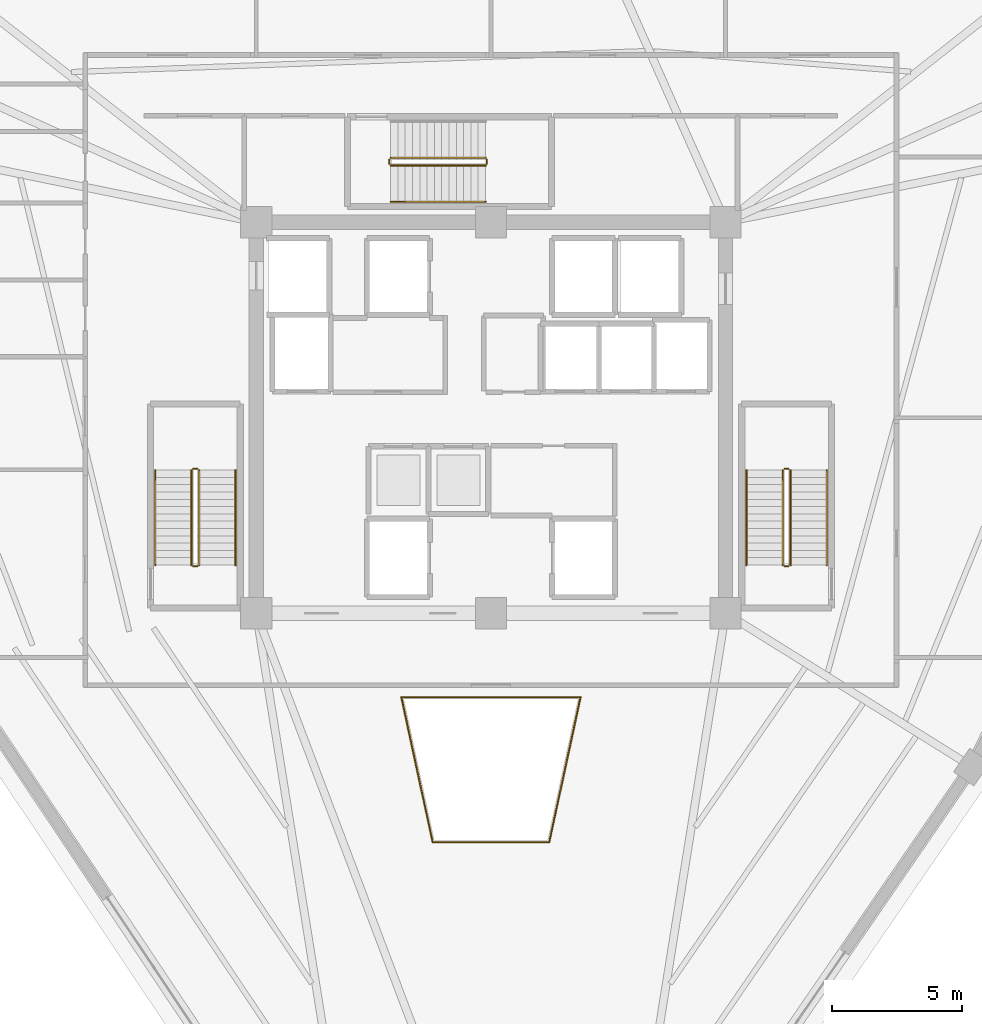
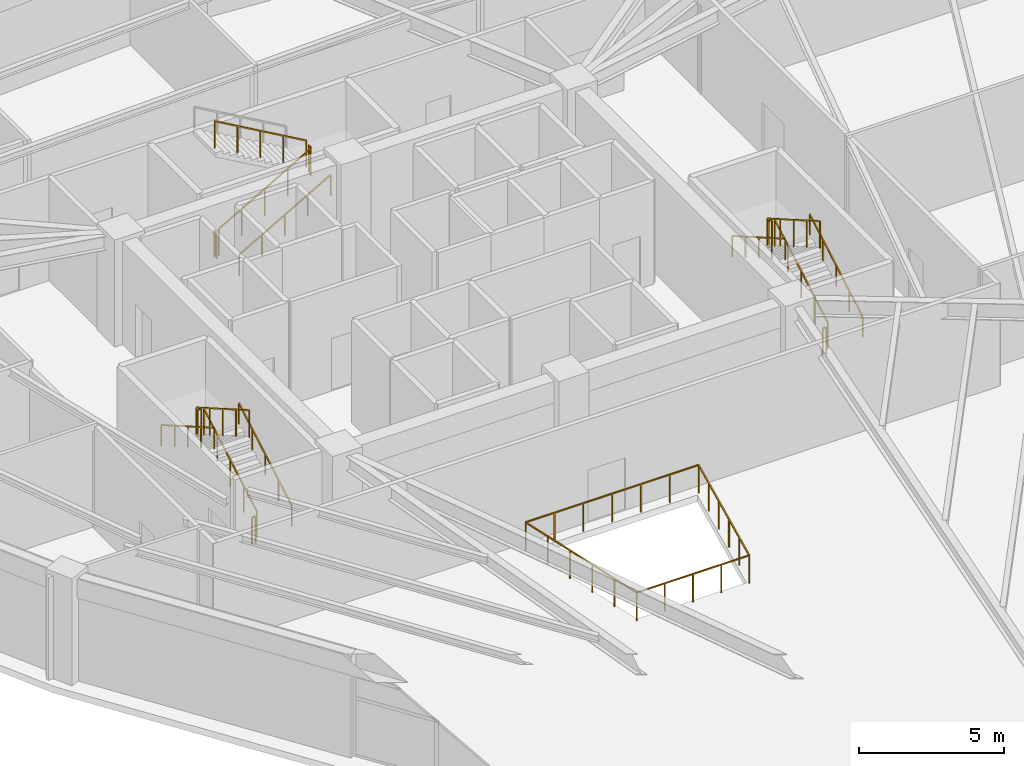
# One storey, part 33 of 35: 21 railings.
"""IFC4 building model written with IfcOpenShell, lengths in metres."""

from ifc_helpers import new_model, si_unit, direction, frame, origin, origin_2d, place, context, subcontext, project, spatial, rectangle, extrude, material, type_object, element, save


model = new_model("IFC4")

# Units and contexts
model_context = context("Model", 3, precision=1e-05, world=origin(), true_north=direction((0.0, 1.0)))
body_context = subcontext(model_context, "Body", "Model", "MODEL_VIEW")
ifc_project = project(units=[si_unit("LENGTHUNIT", "METRE"), si_unit("AREAUNIT", "SQUARE_METRE"), si_unit("VOLUMEUNIT", "CUBIC_METRE"), si_unit("PLANEANGLEUNIT", "RADIAN"), si_unit("MASSUNIT", "GRAM", prefix="KILO")], contexts=[model_context])

# Site, building, storey
site_placement = place(None, origin())
site = spatial("IfcSite", under=ifc_project, at=site_placement, CompositionType="ELEMENT")
building_placement = place(site_placement, origin())
building = spatial("IfcBuilding", under=site, at=building_placement, Name="Liaohun Quay Tower", CompositionType="ELEMENT")
storey_placement = place(building_placement, frame((0.0, 0.0, 282.0)))
storey = spatial("IfcBuildingStorey", under=building, at=storey_placement, Name="L73", CompositionType="ELEMENT", Elevation=282.0)

# Railings
ifc_material_1 = material(Name="Laminated safety glass and stainless steel", Category="steel")
railing_type_1 = type_object("IfcRailingType", Name="RLG-GUARD-ATR", PredefinedType="BALUSTRADE", material=ifc_material_1)
railing_1_placement = place(storey_placement, frame((57.764892578125, 37.714111328125, 0.0)))
element("IfcRailing", 1, at=railing_1_placement, inside=storey, type_object=railing_type_1, Name="L73 Atrium Edge Balustrade 1", PredefinedType="BALUSTRADE", context=body_context, shape_type="SweptSolid", body=[
    extrude(rectangle(XDim=0.048095703125, YDim=0.048095703125, at=origin_2d()), frame((0.0, 0.0, 1.17578125), z_axis=(-0.211238696802, 0.977434505721, 0.0), x_axis=(-0.977434505721, -0.211238696802, 0.0)), (0.0, 0.0, 1.0), 5.6943359375),
    extrude(rectangle(XDim=0.0419921875, YDim=0.0419921875, at=origin_2d()), origin(), (0.0, 0.0, 1.0), 1.15185546875),
    extrude(rectangle(XDim=0.0419921875, YDim=0.0419921875, at=origin_2d()), frame((-0.240478515625, 1.11328125, 0.0)), (0.0, 0.0, 1.0), 1.15185546875),
    extrude(rectangle(XDim=0.0419921875, YDim=0.0419921875, at=origin_2d()), frame((-0.481201171875, 2.226318359375, 0.0)), (0.0, 0.0, 1.0), 1.15185546875),
    extrude(rectangle(XDim=0.0419921875, YDim=0.0419921875, at=origin_2d()), frame((-0.7216796875, 3.339599609375, 0.0)), (0.0, 0.0, 1.0), 1.15185546875),
    extrude(rectangle(XDim=0.0419921875, YDim=0.0419921875, at=origin_2d()), frame((-0.96240234375, 4.45263671875, 0.0)), (0.0, 0.0, 1.0), 1.15185546875),
    extrude(rectangle(XDim=0.0419921875, YDim=0.0419921875, at=origin_2d()), frame((-1.202880859375, 5.56591796875, 0.0)), (0.0, 0.0, 1.0), 1.15185546875),
])
railing_2_placement = place(storey_placement, frame((56.56201171875, 43.280029296875, 0.0)))
element("IfcRailing", 2, at=railing_2_placement, inside=storey, type_object=railing_type_1, Name="L73 Atrium Edge Balustrade 2", PredefinedType="BALUSTRADE", context=body_context, shape_type="SweptSolid", body=[
    extrude(rectangle(XDim=0.048095703125, YDim=0.048095703125, at=origin_2d()), frame((0.0, 0.0, 1.17578125), z_axis=(1.0, 0.0, 0.0), x_axis=(0.0, 1.0, 0.0)), (0.0, 0.0, 1.0), 6.8759765625),
    extrude(rectangle(XDim=0.0419921875, YDim=0.0419921875, at=origin_2d()), origin(), (0.0, 0.0, 1.0), 1.15185546875),
    extrude(rectangle(XDim=0.0419921875, YDim=0.0419921875, at=origin_2d()), frame((1.14599609375, 0.0, 0.0)), (0.0, 0.0, 1.0), 1.15185546875),
    extrude(rectangle(XDim=0.0419921875, YDim=0.0419921875, at=origin_2d()), frame((2.2919921875, 0.0, 0.0)), (0.0, 0.0, 1.0), 1.15185546875),
    extrude(rectangle(XDim=0.0419921875, YDim=0.0419921875, at=origin_2d()), frame((3.43798828125, 0.0, 0.0)), (0.0, 0.0, 1.0), 1.15185546875),
    extrude(rectangle(XDim=0.0419921875, YDim=0.0419921875, at=origin_2d()), frame((4.583984375, 0.0, 0.0)), (0.0, 0.0, 1.0), 1.15185546875),
    extrude(rectangle(XDim=0.0419921875, YDim=0.0419921875, at=origin_2d()), frame((5.72998046875, 0.0, 0.0)), (0.0, 0.0, 1.0), 1.15185546875),
    extrude(rectangle(XDim=0.0419921875, YDim=0.0419921875, at=origin_2d()), frame((6.8759765625, 0.0, 0.0)), (0.0, 0.0, 1.0), 1.15185546875),
])
railing_3_placement = place(storey_placement, frame((63.43798828125, 43.280029296875, 0.0)))
element("IfcRailing", 3, at=railing_3_placement, inside=storey, type_object=railing_type_1, Name="L73 Atrium Edge Balustrade 3", PredefinedType="BALUSTRADE", context=body_context, shape_type="SweptSolid", body=[
    extrude(rectangle(XDim=0.048095703125, YDim=0.048095703125, at=origin_2d()), frame((0.0, 0.0, 1.17578125), z_axis=(-0.211238696802, -0.977434505721, 0.0), x_axis=(0.977434505721, -0.211238696802, 0.0)), (0.0, 0.0, 1.0), 5.6943359375),
    extrude(rectangle(XDim=0.0419921875, YDim=0.0419921875, at=origin_2d()), origin(), (0.0, 0.0, 1.0), 1.15185546875),
    extrude(rectangle(XDim=0.0419921875, YDim=0.0419921875, at=origin_2d()), frame((-0.240478515625, -1.11328125, 0.0)), (0.0, 0.0, 1.0), 1.15185546875),
    extrude(rectangle(XDim=0.0419921875, YDim=0.0419921875, at=origin_2d()), frame((-0.481201171875, -2.226318359375, 0.0)), (0.0, 0.0, 1.0), 1.15185546875),
    extrude(rectangle(XDim=0.0419921875, YDim=0.0419921875, at=origin_2d()), frame((-0.7216796875, -3.339599609375, 0.0)), (0.0, 0.0, 1.0), 1.15185546875),
    extrude(rectangle(XDim=0.0419921875, YDim=0.0419921875, at=origin_2d()), frame((-0.96240234375, -4.45263671875, 0.0)), (0.0, 0.0, 1.0), 1.15185546875),
    extrude(rectangle(XDim=0.0419921875, YDim=0.0419921875, at=origin_2d()), frame((-1.202880859375, -5.56591796875, 0.0)), (0.0, 0.0, 1.0), 1.15185546875),
])
railing_4_placement = place(storey_placement, frame((62.235107421875, 37.714111328125, 0.0)))
element("IfcRailing", 4, at=railing_4_placement, inside=storey, type_object=railing_type_1, Name="L73 Atrium Edge Balustrade 4", PredefinedType="BALUSTRADE", context=body_context, shape_type="SweptSolid", body=[
    extrude(rectangle(XDim=0.048095703125, YDim=0.048095703125, at=origin_2d()), frame((0.0, 0.0, 1.17578125), z_axis=(-1.0, 0.0, 0.0), x_axis=(0.0, -1.0, 0.0)), (0.0, 0.0, 1.0), 4.47021484375),
    extrude(rectangle(XDim=0.0419921875, YDim=0.0419921875, at=origin_2d()), origin(), (0.0, 0.0, 1.0), 1.15185546875),
    extrude(rectangle(XDim=0.0419921875, YDim=0.0419921875, at=origin_2d()), frame((-1.11767578125, 0.0, 0.0)), (0.0, 0.0, 1.0), 1.15185546875),
    extrude(rectangle(XDim=0.0419921875, YDim=0.0419921875, at=origin_2d()), frame((-2.235107421875, 0.0, 0.0)), (0.0, 0.0, 1.0), 1.15185546875),
    extrude(rectangle(XDim=0.0419921875, YDim=0.0419921875, at=origin_2d()), frame((-3.3525390625, 0.0, 0.0)), (0.0, 0.0, 1.0), 1.15185546875),
    extrude(rectangle(XDim=0.0419921875, YDim=0.0419921875, at=origin_2d()), frame((-4.47021484375, 0.0, 0.0)), (0.0, 0.0, 1.0), 1.15185546875),
])
ifc_material_2 = material(Name="Painted tubular steel", Category="steel")
railing_type_2 = type_object("IfcRailingType", Name="RLG-GUARD-STR", PredefinedType="GUARDRAIL", material=ifc_material_2)
railing_5_placement = place(storey_placement, frame((48.81005859375, 48.35009765625, 0.16064453125)))
element("IfcRailing", 5, at=railing_5_placement, inside=storey, type_object=railing_type_2, Name="L73 ST-1 stair guard 1", PredefinedType="GUARDRAIL", context=body_context, shape_type="SweptSolid", body=[
    extrude(rectangle(XDim=0.048095703125, YDim=0.048095703125, at=origin_2d()), frame((0.0, 0.0, 1.1259765625), z_axis=(0.0, 0.8672749571, 0.497829437445), x_axis=(-1.0, 0.0, 0.0)), (0.0, 0.0, 1.0), 4.197021484375),
    extrude(rectangle(XDim=0.0419921875, YDim=0.0419921875, at=origin_2d()), origin(), (0.0, 0.0, 1.0), 1.101806640625),
    extrude(rectangle(XDim=0.0419921875, YDim=0.0419921875, at=origin_2d()), frame((0.0, 0.909912109375, 0.5224609375)), (0.0, 0.0, 1.0), 1.101806640625),
    extrude(rectangle(XDim=0.0419921875, YDim=0.0419921875, at=origin_2d()), frame((0.0, 1.81982421875, 1.044677734375)), (0.0, 0.0, 1.0), 1.101806640625),
    extrude(rectangle(XDim=0.0419921875, YDim=0.0419921875, at=origin_2d()), frame((0.0, 2.72998046875, 1.56689453125)), (0.0, 0.0, 1.0), 1.101806640625),
    extrude(rectangle(XDim=0.0419921875, YDim=0.0419921875, at=origin_2d()), frame((0.0, 3.639892578125, 2.08935546875)), (0.0, 0.0, 1.0), 1.101806640625),
])
railing_6_placement = place(storey_placement, frame((48.72998046875, 52.0400390625, 2.25)))
element("IfcRailing", 6, at=railing_6_placement, inside=storey, type_object=railing_type_2, Name="L73 ST-1 stair guard 2", PredefinedType="GUARDRAIL", context=body_context, shape_type="SweptSolid", body=[
    extrude(rectangle(XDim=0.048095703125, YDim=0.048095703125, at=origin_2d()), frame((0.0, 0.0, 1.1259765625), z_axis=(-1.0, 0.0, 0.0), x_axis=(0.0, -1.0, 0.0)), (0.0, 0.0, 1.0), 0.139892578125),
    extrude(rectangle(XDim=0.0419921875, YDim=0.0419921875, at=origin_2d()), origin(), (0.0, 0.0, 1.0), 1.101806640625),
    extrude(rectangle(XDim=0.0419921875, YDim=0.0419921875, at=origin_2d()), frame((-0.139892578125, 0.0, 0.0)), (0.0, 0.0, 1.0), 1.101806640625),
])
railing_7_placement = place(storey_placement, frame((48.510009765625, 51.989990234375, 2.41064453125)))
element("IfcRailing", 7, at=railing_7_placement, inside=storey, type_object=railing_type_2, Name="L73 ST-1 stair guard 3", PredefinedType="GUARDRAIL", context=body_context, shape_type="SweptSolid", body=[
    extrude(rectangle(XDim=0.048095703125, YDim=0.048095703125, at=origin_2d()), frame((0.0, 0.0, 1.1259765625), z_axis=(0.0, -0.8672749571, 0.497829437445), x_axis=(1.0, 0.0, 0.0)), (0.0, 0.0, 1.0), 4.197021484375),
    extrude(rectangle(XDim=0.0419921875, YDim=0.0419921875, at=origin_2d()), origin(), (0.0, 0.0, 1.0), 1.101806640625),
    extrude(rectangle(XDim=0.0419921875, YDim=0.0419921875, at=origin_2d()), frame((0.0, -0.909912109375, 0.5224609375)), (0.0, 0.0, 1.0), 1.101806640625),
    extrude(rectangle(XDim=0.0419921875, YDim=0.0419921875, at=origin_2d()), frame((0.0, -1.81982421875, 1.044677734375)), (0.0, 0.0, 1.0), 1.101806640625),
    extrude(rectangle(XDim=0.0419921875, YDim=0.0419921875, at=origin_2d()), frame((0.0, -2.72998046875, 1.56689453125)), (0.0, 0.0, 1.0), 1.101806640625),
    extrude(rectangle(XDim=0.0419921875, YDim=0.0419921875, at=origin_2d()), frame((0.0, -3.639892578125, 2.08935546875)), (0.0, 0.0, 1.0), 1.101806640625),
])
railing_8_placement = place(storey_placement, frame((48.72998046875, 48.300048828125, 0.0)))
element("IfcRailing", 8, at=railing_8_placement, inside=storey, type_object=railing_type_2, Name="L73 ST-1 stair guard 4", PredefinedType="GUARDRAIL", context=body_context, shape_type="SweptSolid", body=[
    extrude(rectangle(XDim=0.048095703125, YDim=0.048095703125, at=origin_2d()), frame((0.0, 0.0, 1.1259765625), z_axis=(-1.0, 0.0, 0.0), x_axis=(0.0, -1.0, 0.0)), (0.0, 0.0, 1.0), 0.139892578125),
    extrude(rectangle(XDim=0.0419921875, YDim=0.0419921875, at=origin_2d()), origin(), (0.0, 0.0, 1.0), 1.101806640625),
    extrude(rectangle(XDim=0.0419921875, YDim=0.0419921875, at=origin_2d()), frame((-0.139892578125, 0.0, 0.0)), (0.0, 0.0, 1.0), 1.101806640625),
])
railing_9_placement = place(storey_placement, frame((71.489990234375, 48.35009765625, 0.16064453125)))
element("IfcRailing", 9, at=railing_9_placement, inside=storey, type_object=railing_type_2, Name="L73 ST-2 stair guard 1", PredefinedType="GUARDRAIL", context=body_context, shape_type="SweptSolid", body=[
    extrude(rectangle(XDim=0.048095703125, YDim=0.048095703125, at=origin_2d()), frame((0.0, 0.0, 1.1259765625), z_axis=(0.0, 0.8672749571, 0.497829437445), x_axis=(-1.0, 0.0, 0.0)), (0.0, 0.0, 1.0), 4.197021484375),
    extrude(rectangle(XDim=0.0419921875, YDim=0.0419921875, at=origin_2d()), origin(), (0.0, 0.0, 1.0), 1.101806640625),
    extrude(rectangle(XDim=0.0419921875, YDim=0.0419921875, at=origin_2d()), frame((0.0, 0.909912109375, 0.5224609375)), (0.0, 0.0, 1.0), 1.101806640625),
    extrude(rectangle(XDim=0.0419921875, YDim=0.0419921875, at=origin_2d()), frame((0.0, 1.81982421875, 1.044677734375)), (0.0, 0.0, 1.0), 1.101806640625),
    extrude(rectangle(XDim=0.0419921875, YDim=0.0419921875, at=origin_2d()), frame((0.0, 2.72998046875, 1.56689453125)), (0.0, 0.0, 1.0), 1.101806640625),
    extrude(rectangle(XDim=0.0419921875, YDim=0.0419921875, at=origin_2d()), frame((0.0, 3.639892578125, 2.08935546875)), (0.0, 0.0, 1.0), 1.101806640625),
])
railing_10_placement = place(storey_placement, frame((71.409912109375, 52.0400390625, 2.25)))
element("IfcRailing", 10, at=railing_10_placement, inside=storey, type_object=railing_type_2, Name="L73 ST-2 stair guard 2", PredefinedType="GUARDRAIL", context=body_context, shape_type="SweptSolid", body=[
    extrude(rectangle(XDim=0.048095703125, YDim=0.048095703125, at=origin_2d()), frame((0.0, 0.0, 1.1259765625), z_axis=(-1.0, 0.0, 0.0), x_axis=(0.0, -1.0, 0.0)), (0.0, 0.0, 1.0), 0.139892578125),
    extrude(rectangle(XDim=0.0419921875, YDim=0.0419921875, at=origin_2d()), origin(), (0.0, 0.0, 1.0), 1.101806640625),
    extrude(rectangle(XDim=0.0419921875, YDim=0.0419921875, at=origin_2d()), frame((-0.139892578125, 0.0, 0.0)), (0.0, 0.0, 1.0), 1.101806640625),
])
railing_11_placement = place(storey_placement, frame((71.18994140625, 51.989990234375, 2.41064453125)))
element("IfcRailing", 11, at=railing_11_placement, inside=storey, type_object=railing_type_2, Name="L73 ST-2 stair guard 3", PredefinedType="GUARDRAIL", context=body_context, shape_type="SweptSolid", body=[
    extrude(rectangle(XDim=0.048095703125, YDim=0.048095703125, at=origin_2d()), frame((0.0, 0.0, 1.1259765625), z_axis=(0.0, -0.8672749571, 0.497829437445), x_axis=(1.0, 0.0, 0.0)), (0.0, 0.0, 1.0), 4.197021484375),
    extrude(rectangle(XDim=0.0419921875, YDim=0.0419921875, at=origin_2d()), origin(), (0.0, 0.0, 1.0), 1.101806640625),
    extrude(rectangle(XDim=0.0419921875, YDim=0.0419921875, at=origin_2d()), frame((0.0, -0.909912109375, 0.5224609375)), (0.0, 0.0, 1.0), 1.101806640625),
    extrude(rectangle(XDim=0.0419921875, YDim=0.0419921875, at=origin_2d()), frame((0.0, -1.81982421875, 1.044677734375)), (0.0, 0.0, 1.0), 1.101806640625),
    extrude(rectangle(XDim=0.0419921875, YDim=0.0419921875, at=origin_2d()), frame((0.0, -2.72998046875, 1.56689453125)), (0.0, 0.0, 1.0), 1.101806640625),
    extrude(rectangle(XDim=0.0419921875, YDim=0.0419921875, at=origin_2d()), frame((0.0, -3.639892578125, 2.08935546875)), (0.0, 0.0, 1.0), 1.101806640625),
])
railing_12_placement = place(storey_placement, frame((71.409912109375, 48.300048828125, 0.0)))
element("IfcRailing", 12, at=railing_12_placement, inside=storey, type_object=railing_type_2, Name="L73 ST-2 stair guard 4", PredefinedType="GUARDRAIL", context=body_context, shape_type="SweptSolid", body=[
    extrude(rectangle(XDim=0.048095703125, YDim=0.048095703125, at=origin_2d()), frame((0.0, 0.0, 1.1259765625), z_axis=(-1.0, 0.0, 0.0), x_axis=(0.0, -1.0, 0.0)), (0.0, 0.0, 1.0), 0.139892578125),
    extrude(rectangle(XDim=0.0419921875, YDim=0.0419921875, at=origin_2d()), origin(), (0.0, 0.0, 1.0), 1.101806640625),
    extrude(rectangle(XDim=0.0419921875, YDim=0.0419921875, at=origin_2d()), frame((-0.139892578125, 0.0, 0.0)), (0.0, 0.0, 1.0), 1.101806640625),
])
railing_13_placement = place(storey_placement, frame((56.14990234375, 63.669921875, 0.16064453125)))
element("IfcRailing", 13, at=railing_13_placement, inside=storey, type_object=railing_type_2, Name="L73 ST-3 stair guard 1", PredefinedType="GUARDRAIL", context=body_context, shape_type="SweptSolid", body=[
    extrude(rectangle(XDim=0.048095703125, YDim=0.048095703125, at=origin_2d()), frame((0.0, 0.0, 1.1259765625), z_axis=(0.867289372828, 0.0, 0.497804322781), x_axis=(0.0, 1.0, 0.0)), (0.0, 0.0, 1.0), 4.197021484375),
    extrude(rectangle(XDim=0.0419921875, YDim=0.0419921875, at=origin_2d()), origin(), (0.0, 0.0, 1.0), 1.101806640625),
    extrude(rectangle(XDim=0.0419921875, YDim=0.0419921875, at=origin_2d()), frame((0.91015625, 0.0, 0.5224609375)), (0.0, 0.0, 1.0), 1.101806640625),
    extrude(rectangle(XDim=0.0419921875, YDim=0.0419921875, at=origin_2d()), frame((1.820068359375, 0.0, 1.044677734375)), (0.0, 0.0, 1.0), 1.101806640625),
    extrude(rectangle(XDim=0.0419921875, YDim=0.0419921875, at=origin_2d()), frame((2.72998046875, 0.0, 1.56689453125)), (0.0, 0.0, 1.0), 1.101806640625),
    extrude(rectangle(XDim=0.0419921875, YDim=0.0419921875, at=origin_2d()), frame((3.64013671875, 0.0, 2.08935546875)), (0.0, 0.0, 1.0), 1.101806640625),
])
railing_14_placement = place(storey_placement, frame((59.840087890625, 63.75, 2.25)))
element("IfcRailing", 14, at=railing_14_placement, inside=storey, type_object=railing_type_2, Name="L73 ST-3 stair guard 2", PredefinedType="GUARDRAIL", context=body_context, shape_type="SweptSolid", body=[
    extrude(rectangle(XDim=0.048095703125, YDim=0.048095703125, at=origin_2d()), frame((0.0, 0.0, 1.1259765625), z_axis=(0.0, 1.0, 0.0), x_axis=(-1.0, 0.0, 0.0)), (0.0, 0.0, 1.0), 0.139892578125),
    extrude(rectangle(XDim=0.0419921875, YDim=0.0419921875, at=origin_2d()), origin(), (0.0, 0.0, 1.0), 1.101806640625),
    extrude(rectangle(XDim=0.0419921875, YDim=0.0419921875, at=origin_2d()), frame((0.0, 0.139892578125, 0.0)), (0.0, 0.0, 1.0), 1.101806640625),
])
railing_15_placement = place(storey_placement, frame((59.7900390625, 63.969970703125, 2.41064453125)))
element("IfcRailing", 15, at=railing_15_placement, inside=storey, type_object=railing_type_2, Name="L73 ST-3 stair guard 3", PredefinedType="GUARDRAIL", context=body_context, shape_type="SweptSolid", body=[
    extrude(rectangle(XDim=0.048095703125, YDim=0.048095703125, at=origin_2d()), frame((0.0, 0.0, 1.1259765625), z_axis=(-0.867289372828, 0.0, 0.497804322781), x_axis=(0.0, -1.0, 0.0)), (0.0, 0.0, 1.0), 4.197021484375),
    extrude(rectangle(XDim=0.0419921875, YDim=0.0419921875, at=origin_2d()), origin(), (0.0, 0.0, 1.0), 1.101806640625),
    extrude(rectangle(XDim=0.0419921875, YDim=0.0419921875, at=origin_2d()), frame((-0.91015625, 0.0, 0.5224609375)), (0.0, 0.0, 1.0), 1.101806640625),
    extrude(rectangle(XDim=0.0419921875, YDim=0.0419921875, at=origin_2d()), frame((-1.820068359375, 0.0, 1.044677734375)), (0.0, 0.0, 1.0), 1.101806640625),
    extrude(rectangle(XDim=0.0419921875, YDim=0.0419921875, at=origin_2d()), frame((-2.72998046875, 0.0, 1.56689453125)), (0.0, 0.0, 1.0), 1.101806640625),
    extrude(rectangle(XDim=0.0419921875, YDim=0.0419921875, at=origin_2d()), frame((-3.64013671875, 0.0, 2.08935546875)), (0.0, 0.0, 1.0), 1.101806640625),
])
railing_16_placement = place(storey_placement, frame((56.10009765625, 63.75, 0.0)))
element("IfcRailing", 16, at=railing_16_placement, inside=storey, type_object=railing_type_2, Name="L73 ST-3 stair guard 4", PredefinedType="GUARDRAIL", context=body_context, shape_type="SweptSolid", body=[
    extrude(rectangle(XDim=0.048095703125, YDim=0.048095703125, at=origin_2d()), frame((0.0, 0.0, 1.1259765625), z_axis=(0.0, 1.0, 0.0), x_axis=(-1.0, 0.0, 0.0)), (0.0, 0.0, 1.0), 0.139892578125),
    extrude(rectangle(XDim=0.0419921875, YDim=0.0419921875, at=origin_2d()), origin(), (0.0, 0.0, 1.0), 1.101806640625),
    extrude(rectangle(XDim=0.0419921875, YDim=0.0419921875, at=origin_2d()), frame((0.0, 0.139892578125, 0.0)), (0.0, 0.0, 1.0), 1.101806640625),
])
ifc_material_3 = material(Name="Brushed stainless steel", Category="steel")
railing_type_3 = type_object("IfcRailingType", Name="RLG-HND-STR", PredefinedType="HANDRAIL", material=ifc_material_3)
railing_17_placement = place(storey_placement, frame((50.199951171875, 48.35009765625, 0.16064453125)))
element("IfcRailing", 17, at=railing_17_placement, inside=storey, type_object=railing_type_3, Name="L73 ST-1 stair handrail 1", PredefinedType="HANDRAIL", context=body_context, shape_type="SweptSolid", body=[
    extrude(rectangle(XDim=0.048095703125, YDim=0.048095703125, at=origin_2d()), frame((0.0, 0.0, 0.8759765625), z_axis=(0.0, 0.8672749571, 0.497829437445), x_axis=(-1.0, 0.0, 0.0)), (0.0, 0.0, 1.0), 4.197021484375),
    extrude(rectangle(XDim=0.0419921875, YDim=0.0419921875, at=origin_2d()), origin(), (0.0, 0.0, 1.0), 0.851806640625),
    extrude(rectangle(XDim=0.0419921875, YDim=0.0419921875, at=origin_2d()), frame((0.0, 0.909912109375, 0.5224609375)), (0.0, 0.0, 1.0), 0.851806640625),
    extrude(rectangle(XDim=0.0419921875, YDim=0.0419921875, at=origin_2d()), frame((0.0, 1.81982421875, 1.044677734375)), (0.0, 0.0, 1.0), 0.851806640625),
    extrude(rectangle(XDim=0.0419921875, YDim=0.0419921875, at=origin_2d()), frame((0.0, 2.72998046875, 1.56689453125)), (0.0, 0.0, 1.0), 0.851806640625),
    extrude(rectangle(XDim=0.0419921875, YDim=0.0419921875, at=origin_2d()), frame((0.0, 3.639892578125, 2.08935546875)), (0.0, 0.0, 1.0), 0.851806640625),
])
railing_18_placement = place(storey_placement, frame((47.1201171875, 51.989990234375, 2.41064453125)))
element("IfcRailing", 18, at=railing_18_placement, inside=storey, type_object=railing_type_3, Name="L73 ST-1 stair handrail 2", PredefinedType="HANDRAIL", context=body_context, shape_type="SweptSolid", body=[
    extrude(rectangle(XDim=0.048095703125, YDim=0.048095703125, at=origin_2d()), frame((0.0, 0.0, 0.8759765625), z_axis=(0.0, -0.8672749571, 0.497829437445), x_axis=(1.0, 0.0, 0.0)), (0.0, 0.0, 1.0), 4.197021484375),
    extrude(rectangle(XDim=0.0419921875, YDim=0.0419921875, at=origin_2d()), origin(), (0.0, 0.0, 1.0), 0.851806640625),
    extrude(rectangle(XDim=0.0419921875, YDim=0.0419921875, at=origin_2d()), frame((0.0, -0.909912109375, 0.5224609375)), (0.0, 0.0, 1.0), 0.851806640625),
    extrude(rectangle(XDim=0.0419921875, YDim=0.0419921875, at=origin_2d()), frame((0.0, -1.81982421875, 1.044677734375)), (0.0, 0.0, 1.0), 0.851806640625),
    extrude(rectangle(XDim=0.0419921875, YDim=0.0419921875, at=origin_2d()), frame((0.0, -2.72998046875, 1.56689453125)), (0.0, 0.0, 1.0), 0.851806640625),
    extrude(rectangle(XDim=0.0419921875, YDim=0.0419921875, at=origin_2d()), frame((0.0, -3.639892578125, 2.08935546875)), (0.0, 0.0, 1.0), 0.851806640625),
])
railing_19_placement = place(storey_placement, frame((72.8798828125, 48.35009765625, 0.16064453125)))
element("IfcRailing", 19, at=railing_19_placement, inside=storey, type_object=railing_type_3, Name="L73 ST-2 stair handrail 1", PredefinedType="HANDRAIL", context=body_context, shape_type="SweptSolid", body=[
    extrude(rectangle(XDim=0.048095703125, YDim=0.048095703125, at=origin_2d()), frame((0.0, 0.0, 0.8759765625), z_axis=(0.0, 0.8672749571, 0.497829437445), x_axis=(-1.0, 0.0, 0.0)), (0.0, 0.0, 1.0), 4.197021484375),
    extrude(rectangle(XDim=0.0419921875, YDim=0.0419921875, at=origin_2d()), origin(), (0.0, 0.0, 1.0), 0.851806640625),
    extrude(rectangle(XDim=0.0419921875, YDim=0.0419921875, at=origin_2d()), frame((0.0, 0.909912109375, 0.5224609375)), (0.0, 0.0, 1.0), 0.851806640625),
    extrude(rectangle(XDim=0.0419921875, YDim=0.0419921875, at=origin_2d()), frame((0.0, 1.81982421875, 1.044677734375)), (0.0, 0.0, 1.0), 0.851806640625),
    extrude(rectangle(XDim=0.0419921875, YDim=0.0419921875, at=origin_2d()), frame((0.0, 2.72998046875, 1.56689453125)), (0.0, 0.0, 1.0), 0.851806640625),
    extrude(rectangle(XDim=0.0419921875, YDim=0.0419921875, at=origin_2d()), frame((0.0, 3.639892578125, 2.08935546875)), (0.0, 0.0, 1.0), 0.851806640625),
])
railing_20_placement = place(storey_placement, frame((69.800048828125, 51.989990234375, 2.41064453125)))
element("IfcRailing", 20, at=railing_20_placement, inside=storey, type_object=railing_type_3, Name="L73 ST-2 stair handrail 2", PredefinedType="HANDRAIL", context=body_context, shape_type="SweptSolid", body=[
    extrude(rectangle(XDim=0.048095703125, YDim=0.048095703125, at=origin_2d()), frame((0.0, 0.0, 0.8759765625), z_axis=(0.0, -0.8672749571, 0.497829437445), x_axis=(1.0, 0.0, 0.0)), (0.0, 0.0, 1.0), 4.197021484375),
    extrude(rectangle(XDim=0.0419921875, YDim=0.0419921875, at=origin_2d()), origin(), (0.0, 0.0, 1.0), 0.851806640625),
    extrude(rectangle(XDim=0.0419921875, YDim=0.0419921875, at=origin_2d()), frame((0.0, -0.909912109375, 0.5224609375)), (0.0, 0.0, 1.0), 0.851806640625),
    extrude(rectangle(XDim=0.0419921875, YDim=0.0419921875, at=origin_2d()), frame((0.0, -1.81982421875, 1.044677734375)), (0.0, 0.0, 1.0), 0.851806640625),
    extrude(rectangle(XDim=0.0419921875, YDim=0.0419921875, at=origin_2d()), frame((0.0, -2.72998046875, 1.56689453125)), (0.0, 0.0, 1.0), 0.851806640625),
    extrude(rectangle(XDim=0.0419921875, YDim=0.0419921875, at=origin_2d()), frame((0.0, -3.639892578125, 2.08935546875)), (0.0, 0.0, 1.0), 0.851806640625),
])
railing_21_placement = place(storey_placement, frame((56.14990234375, 62.280029296875, 0.16064453125)))
element("IfcRailing", 21, at=railing_21_placement, inside=storey, type_object=railing_type_3, Name="L73 ST-3 stair handrail 1", PredefinedType="HANDRAIL", context=body_context, shape_type="SweptSolid", body=[
    extrude(rectangle(XDim=0.048095703125, YDim=0.048095703125, at=origin_2d()), frame((0.0, 0.0, 0.8759765625), z_axis=(0.867289372828, 0.0, 0.497804322781), x_axis=(0.0, 1.0, 0.0)), (0.0, 0.0, 1.0), 4.197021484375),
    extrude(rectangle(XDim=0.0419921875, YDim=0.0419921875, at=origin_2d()), origin(), (0.0, 0.0, 1.0), 0.851806640625),
    extrude(rectangle(XDim=0.0419921875, YDim=0.0419921875, at=origin_2d()), frame((0.91015625, 0.0, 0.5224609375)), (0.0, 0.0, 1.0), 0.851806640625),
    extrude(rectangle(XDim=0.0419921875, YDim=0.0419921875, at=origin_2d()), frame((1.820068359375, 0.0, 1.044677734375)), (0.0, 0.0, 1.0), 0.851806640625),
    extrude(rectangle(XDim=0.0419921875, YDim=0.0419921875, at=origin_2d()), frame((2.72998046875, 0.0, 1.56689453125)), (0.0, 0.0, 1.0), 0.851806640625),
    extrude(rectangle(XDim=0.0419921875, YDim=0.0419921875, at=origin_2d()), frame((3.64013671875, 0.0, 2.08935546875)), (0.0, 0.0, 1.0), 0.851806640625),
])

save(model, "model.ifc")
